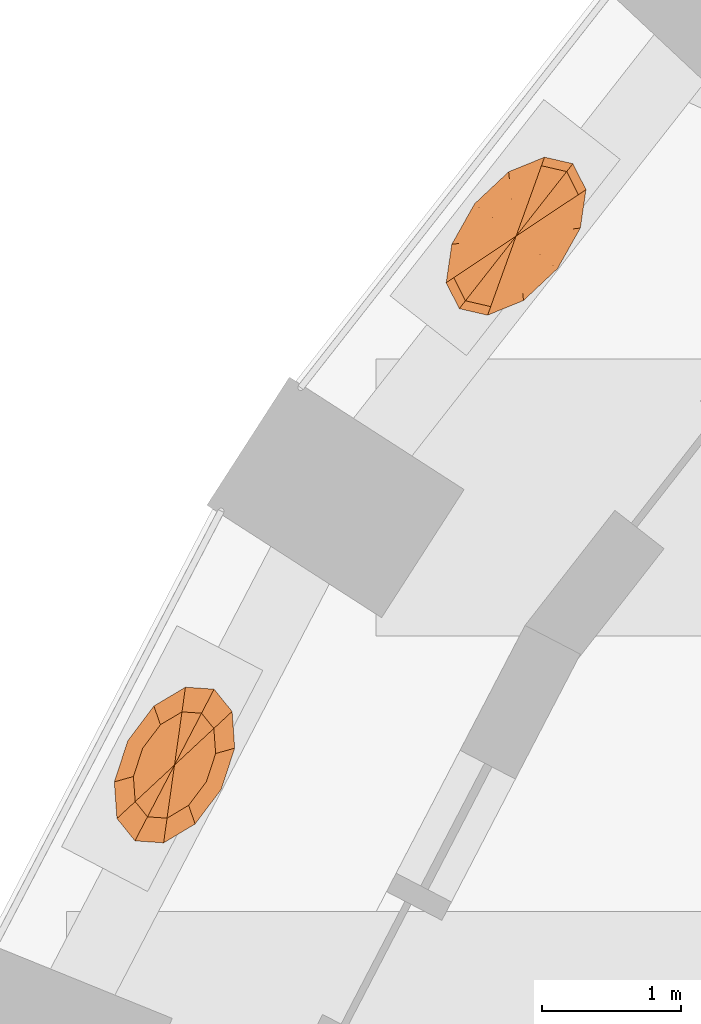
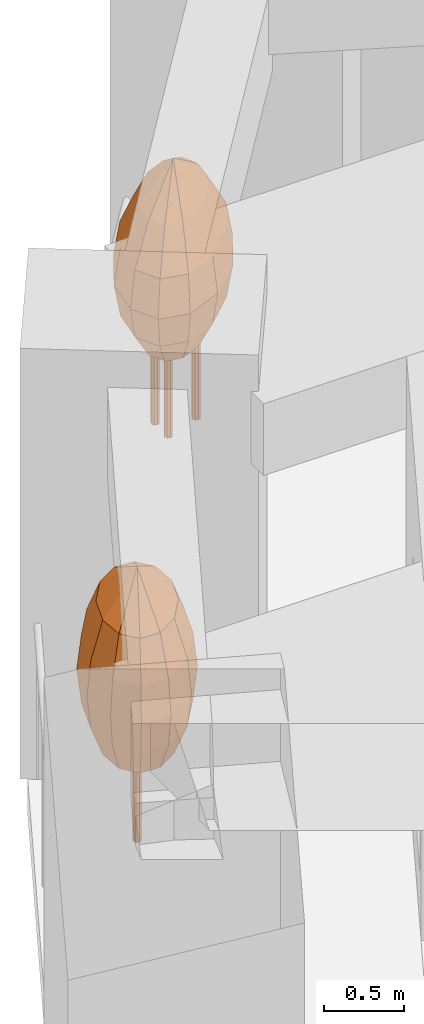
# One storey, part 13 of 13: 2 geographic elements.
"""IFC4 building model written with IfcOpenShell, lengths in metres."""

from ifc_helpers import new_model, si_unit, direction, frame, origin, place, context, subcontext, project, spatial, faceted_brep, material, constituent, constituent_set, type_object, element, save


model = new_model("IFC4")

# Units and contexts
model_context = context("Model", 3, precision=1e-05, world=origin(), true_north=direction((0.0, 1.0)))
body_context = subcontext(model_context, "Body", "Model", "MODEL_VIEW")
ifc_project = project(units=[si_unit("LENGTHUNIT", "METRE"), si_unit("AREAUNIT", "SQUARE_METRE"), si_unit("VOLUMEUNIT", "CUBIC_METRE"), si_unit("PLANEANGLEUNIT", "RADIAN"), si_unit("MASSUNIT", "GRAM", prefix="KILO")], contexts=[model_context])

# Site, building, storey
site_placement = place(None, origin())
site = spatial("IfcSite", under=ifc_project, at=site_placement, CompositionType="ELEMENT")
building_placement = place(site_placement, origin())
building = spatial("IfcBuilding", under=site, at=building_placement, Name="Taillehof Tower", CompositionType="ELEMENT")
storey_placement = place(building_placement, frame((0.0, 0.0, 38.199951171875)))
storey = spatial("IfcBuildingStorey", under=building, at=storey_placement, Name="L09", CompositionType="ELEMENT", Elevation=38.199951171875)

# Geographic elements
ifc_material_1 = material(Name="Tree bark", Category="timber")
ifc_constituent_1 = constituent(ifc_material_1, Name="Trunk", Category="timber")
ifc_material_2 = material(Name="Tree foliage")
ifc_constituent_2 = constituent(ifc_material_2, Name="Crown")
ifc_constituent_set_1 = constituent_set(constituents=[ifc_constituent_1, ifc_constituent_2], Name="Tree TR1 Columnar hornbeam")
geographic_element_type_1 = type_object("IfcGeographicElementType", Name="Tree TR1 Columnar hornbeam", PredefinedType="USERDEFINED", material=ifc_constituent_set_1)
geographic_element_1_placement = place(storey_placement, frame((-25.627685546875, 10.692626953125, 0.75)))
element("IfcGeographicElement", 1, at=geographic_element_1_placement, inside=storey, type_object=geographic_element_type_1, Name="Tree TR1 Columnar hornbeam", ObjectType="TREE", PredefinedType="USERDEFINED", context=body_context, shape_type="Brep", body=[
    faceted_brep([(0.030029296875, 0.0, 0.0), (0.021240234375, 0.021240234375, 0.0), (0.021240234375, 0.021240234375, 1.092529296875), (0.030029296875, 0.0, 1.092529296875), (0.0, 0.030029296875, 0.0), (0.0, 0.030029296875, 1.092529296875), (-0.021240234375, 0.021240234375, 0.0), (-0.021240234375, 0.021240234375, 1.092529296875), (-0.030029296875, 0.0, 0.0), (-0.030029296875, 0.0, 1.092529296875), (-0.021240234375, -0.021240234375, 0.0), (-0.021240234375, -0.021240234375, 1.092529296875), (0.0, -0.030029296875, 0.0), (0.0, -0.030029296875, 1.092529296875), (0.021240234375, -0.021240234375, 0.0), (0.021240234375, -0.021240234375, 1.092529296875)], [[[0, 1, 2, 3]], [[1, 4, 5, 2]], [[4, 6, 7, 5]], [[6, 8, 9, 7]], [[8, 10, 11, 9]], [[10, 12, 13, 11]], [[12, 14, 15, 13]], [[14, 0, 3, 15]], [[14, 12, 10, 8, 6, 4, 1, 0]], [[3, 2, 5, 7, 9, 11, 13, 15]]]),
    faceted_brep([(0.0, 0.0, 0.550048828125), (-0.053955078125, -0.3837890625, 0.808349609375), (-0.195068359375, -0.3740234375, 0.808349609375), (0.101806640625, -0.291015625, 0.808349609375), (0.230224609375, -0.1201171875, 0.808349609375), (0.296875, 0.0830078125, 0.808349609375), (0.283935546875, 0.263916015625, 0.808349609375), (0.195068359375, 0.3740234375, 0.808349609375), (0.053955078125, 0.3837890625, 0.808349609375), (-0.101806640625, 0.291015625, 0.808349609375), (-0.230224609375, 0.1201171875, 0.808349609375), (-0.296875, -0.0830078125, 0.808349609375), (-0.283935546875, -0.263916015625, 0.808349609375), (-0.07275390625, -0.519287109375, 1.066650390625), (-0.263916015625, -0.505859375, 1.066650390625), (0.1376953125, -0.3935546875, 1.066650390625), (0.311279296875, -0.162353515625, 1.066650390625), (0.401611328125, 0.1123046875, 1.066650390625), (0.38427734375, 0.35693359375, 1.066650390625), (0.263916015625, 0.505859375, 1.066650390625), (0.07275390625, 0.519287109375, 1.066650390625), (-0.1376953125, 0.3935546875, 1.066650390625), (-0.311279296875, 0.162353515625, 1.066650390625), (-0.401611328125, -0.1123046875, 1.066650390625), (-0.38427734375, -0.35693359375, 1.066650390625), (-0.078857421875, -0.56201171875, 1.324951171875), (-0.28564453125, -0.547607421875, 1.324951171875), (0.14892578125, -0.426025390625, 1.324951171875), (0.3369140625, -0.17578125, 1.324951171875), (0.4345703125, 0.12158203125, 1.324951171875), (0.415771484375, 0.38623046875, 1.324951171875), (0.28564453125, 0.547607421875, 1.324951171875), (0.078857421875, 0.56201171875, 1.324951171875), (-0.14892578125, 0.426025390625, 1.324951171875), (-0.3369140625, 0.17578125, 1.324951171875), (-0.4345703125, -0.12158203125, 1.324951171875), (-0.415771484375, -0.38623046875, 1.324951171875), (-0.07275390625, -0.519287109375, 1.583251953125), (-0.263916015625, -0.505859375, 1.583251953125), (0.1376953125, -0.3935546875, 1.583251953125), (0.311279296875, -0.162353515625, 1.583251953125), (0.401611328125, 0.1123046875, 1.583251953125), (0.38427734375, 0.35693359375, 1.583251953125), (0.263916015625, 0.505859375, 1.583251953125), (0.07275390625, 0.519287109375, 1.583251953125), (-0.1376953125, 0.3935546875, 1.583251953125), (-0.311279296875, 0.162353515625, 1.583251953125), (-0.401611328125, -0.1123046875, 1.583251953125), (-0.38427734375, -0.35693359375, 1.583251953125), (-0.053955078125, -0.3837890625, 1.841552734375), (-0.195068359375, -0.3740234375, 1.841552734375), (0.101806640625, -0.291015625, 1.841552734375), (0.230224609375, -0.1201171875, 1.841552734375), (0.296875, 0.0830078125, 1.841552734375), (0.283935546875, 0.263916015625, 1.841552734375), (0.195068359375, 0.3740234375, 1.841552734375), (0.053955078125, 0.3837890625, 1.841552734375), (-0.101806640625, 0.291015625, 1.841552734375), (-0.230224609375, 0.1201171875, 1.841552734375), (-0.296875, -0.0830078125, 1.841552734375), (-0.283935546875, -0.263916015625, 1.841552734375), (0.0, 0.0, 2.10009765625)], [[[0, 1, 2]], [[0, 3, 1]], [[0, 4, 3]], [[0, 5, 4]], [[0, 6, 5]], [[0, 7, 6]], [[0, 8, 7]], [[0, 9, 8]], [[0, 10, 9]], [[0, 11, 10]], [[0, 12, 11]], [[0, 2, 12]], [[2, 1, 13, 14]], [[1, 3, 15, 13]], [[3, 4, 16, 15]], [[4, 5, 17, 16]], [[5, 6, 18, 17]], [[6, 7, 19, 18]], [[7, 8, 20, 19]], [[8, 9, 21, 20]], [[9, 10, 22, 21]], [[10, 11, 23, 22]], [[11, 12, 24, 23]], [[12, 2, 14, 24]], [[14, 13, 25, 26]], [[13, 15, 27, 25]], [[15, 16, 28, 27]], [[16, 17, 29, 28]], [[17, 18, 30, 29]], [[18, 19, 31, 30]], [[19, 20, 32, 31]], [[20, 21, 33, 32]], [[21, 22, 34, 33]], [[22, 23, 35, 34]], [[23, 24, 36, 35]], [[24, 14, 26, 36]], [[26, 25, 37, 38]], [[25, 27, 39, 37]], [[27, 28, 40, 39]], [[28, 29, 41, 40]], [[29, 30, 42, 41]], [[30, 31, 43, 42]], [[31, 32, 44, 43]], [[32, 33, 45, 44]], [[33, 34, 46, 45]], [[34, 35, 47, 46]], [[35, 36, 48, 47]], [[36, 26, 38, 48]], [[38, 37, 49, 50]], [[37, 39, 51, 49]], [[39, 40, 52, 51]], [[40, 41, 53, 52]], [[41, 42, 54, 53]], [[42, 43, 55, 54]], [[43, 44, 56, 55]], [[44, 45, 57, 56]], [[45, 46, 58, 57]], [[46, 47, 59, 58]], [[47, 48, 60, 59]], [[48, 38, 50, 60]], [[50, 49, 61]], [[49, 51, 61]], [[51, 52, 61]], [[52, 53, 61]], [[53, 54, 61]], [[54, 55, 61]], [[55, 56, 61]], [[56, 57, 61]], [[57, 58, 61]], [[58, 59, 61]], [[59, 60, 61]], [[60, 50, 61]]]),
])
ifc_material_3 = material(Name="Tree bark", Category="timber")
ifc_constituent_3 = constituent(ifc_material_3, Name="Trunk", Category="timber")
ifc_material_4 = material(Name="Tree foliage")
ifc_constituent_4 = constituent(ifc_material_4, Name="Crown")
ifc_constituent_set_2 = constituent_set(constituents=[ifc_constituent_3, ifc_constituent_4], Name="Tree TR3 Multi-stem serviceberry")
geographic_element_type_2 = type_object("IfcGeographicElementType", Name="Tree TR3 Multi-stem serviceberry", PredefinedType="USERDEFINED", material=ifc_constituent_set_2)
geographic_element_2_placement = place(storey_placement, frame((-23.16162109375, 14.510986328125, 0.75)))
element("IfcGeographicElement", 2, at=geographic_element_2_placement, inside=storey, type_object=geographic_element_type_2, Name="Tree TR3 Multi-stem serviceberry", ObjectType="TREE", PredefinedType="USERDEFINED", context=body_context, shape_type="Brep", body=[
    faceted_brep([(0.195068359375, 0.0, 0.0), (0.186767578125, 0.0205078125, 0.0), (0.186767578125, 0.0205078125, 1.04248046875), (0.195068359375, 0.0, 1.04248046875), (0.166259765625, 0.02880859375, 0.0), (0.166259765625, 0.02880859375, 1.04248046875), (0.145751953125, 0.0205078125, 0.0), (0.145751953125, 0.0205078125, 1.04248046875), (0.137451171875, 0.0, 0.0), (0.137451171875, 0.0, 1.04248046875), (0.145751953125, -0.0205078125, 0.0), (0.145751953125, -0.0205078125, 1.04248046875), (0.166259765625, -0.02880859375, 0.0), (0.166259765625, -0.02880859375, 1.04248046875), (0.186767578125, -0.0205078125, 0.0), (0.186767578125, -0.0205078125, 1.04248046875)], [[[0, 1, 2, 3]], [[1, 4, 5, 2]], [[4, 6, 7, 5]], [[6, 8, 9, 7]], [[8, 10, 11, 9]], [[10, 12, 13, 11]], [[12, 14, 15, 13]], [[14, 0, 3, 15]], [[14, 12, 10, 8, 6, 4, 1, 0]], [[3, 2, 5, 7, 9, 11, 13, 15]]]),
    faceted_brep([(-0.05419921875, 0.082275390625, 0.0), (-0.062744140625, 0.102783203125, 0.0), (-0.062744140625, 0.102783203125, 1.04248046875), (-0.05419921875, 0.082275390625, 1.04248046875), (-0.0830078125, 0.111083984375, 0.0), (-0.0830078125, 0.111083984375, 1.04248046875), (-0.103515625, 0.102783203125, 0.0), (-0.103515625, 0.102783203125, 1.04248046875), (-0.112060546875, 0.082275390625, 0.0), (-0.112060546875, 0.082275390625, 1.04248046875), (-0.103515625, 0.061767578125, 0.0), (-0.103515625, 0.061767578125, 1.04248046875), (-0.0830078125, 0.053466796875, 0.0), (-0.0830078125, 0.053466796875, 1.04248046875), (-0.062744140625, 0.061767578125, 0.0), (-0.062744140625, 0.061767578125, 1.04248046875)], [[[0, 1, 2, 3]], [[1, 4, 5, 2]], [[4, 6, 7, 5]], [[6, 8, 9, 7]], [[8, 10, 11, 9]], [[10, 12, 13, 11]], [[12, 14, 15, 13]], [[14, 0, 3, 15]], [[14, 12, 10, 8, 6, 4, 1, 0]], [[3, 2, 5, 7, 9, 11, 13, 15]]]),
    faceted_brep([(-0.05419921875, -0.082275390625, 0.0), (-0.062744140625, -0.061767578125, 0.0), (-0.062744140625, -0.061767578125, 1.04248046875), (-0.05419921875, -0.082275390625, 1.04248046875), (-0.0830078125, -0.053466796875, 0.0), (-0.0830078125, -0.053466796875, 1.04248046875), (-0.103515625, -0.061767578125, 0.0), (-0.103515625, -0.061767578125, 1.04248046875), (-0.112060546875, -0.082275390625, 0.0), (-0.112060546875, -0.082275390625, 1.04248046875), (-0.103515625, -0.102783203125, 0.0), (-0.103515625, -0.102783203125, 1.04248046875), (-0.0830078125, -0.111083984375, 0.0), (-0.0830078125, -0.111083984375, 1.04248046875), (-0.062744140625, -0.102783203125, 0.0), (-0.062744140625, -0.102783203125, 1.04248046875)], [[[0, 1, 2, 3]], [[1, 4, 5, 2]], [[4, 6, 7, 5]], [[6, 8, 9, 7]], [[8, 10, 11, 9]], [[10, 12, 13, 11]], [[12, 14, 15, 13]], [[14, 0, 3, 15]], [[14, 12, 10, 8, 6, 4, 1, 0]], [[3, 2, 5, 7, 9, 11, 13, 15]]]),
    faceted_brep([(0.0, 0.0, 0.5), (-0.1181640625, -0.32763671875, 0.75830078125), (-0.235595703125, -0.30078125, 0.75830078125), (0.031005859375, -0.266845703125, 0.75830078125), (0.171875, -0.134521484375, 0.75830078125), (0.2666015625, 0.03369140625, 0.75830078125), (0.289794921875, 0.193115234375, 0.75830078125), (0.235595703125, 0.30078125, 0.75830078125), (0.1181640625, 0.32763671875, 0.75830078125), (-0.031005859375, 0.266845703125, 0.75830078125), (-0.171875, 0.134521484375, 0.75830078125), (-0.2666015625, -0.03369140625, 0.75830078125), (-0.289794921875, -0.193115234375, 0.75830078125), (-0.18310546875, -0.508544921875, 1.0166015625), (-0.365478515625, -0.466552734375, 1.0166015625), (0.048095703125, -0.4140625, 1.0166015625), (0.2666015625, -0.208740234375, 1.0166015625), (0.41357421875, 0.052490234375, 1.0166015625), (0.449951171875, 0.299560546875, 1.0166015625), (0.365478515625, 0.466552734375, 1.0166015625), (0.18310546875, 0.508544921875, 1.0166015625), (-0.048095703125, 0.4140625, 1.0166015625), (-0.2666015625, 0.208740234375, 1.0166015625), (-0.41357421875, -0.052490234375, 1.0166015625), (-0.449951171875, -0.299560546875, 1.0166015625), (-0.20556640625, -0.570556640625, 1.27490234375), (-0.41015625, -0.5234375, 1.27490234375), (0.053955078125, -0.464599609375, 1.27490234375), (0.299072265625, -0.234375, 1.27490234375), (0.464111328125, 0.058837890625, 1.27490234375), (0.504638671875, 0.336181640625, 1.27490234375), (0.41015625, 0.5234375, 1.27490234375), (0.20556640625, 0.570556640625, 1.27490234375), (-0.053955078125, 0.464599609375, 1.27490234375), (-0.299072265625, 0.234375, 1.27490234375), (-0.464111328125, -0.058837890625, 1.27490234375), (-0.504638671875, -0.336181640625, 1.27490234375), (-0.18310546875, -0.508544921875, 1.533447265625), (-0.365478515625, -0.466552734375, 1.533447265625), (0.048095703125, -0.4140625, 1.533447265625), (0.2666015625, -0.208740234375, 1.533447265625), (0.41357421875, 0.052490234375, 1.533447265625), (0.449951171875, 0.299560546875, 1.533447265625), (0.365478515625, 0.466552734375, 1.533447265625), (0.18310546875, 0.508544921875, 1.533447265625), (-0.048095703125, 0.4140625, 1.533447265625), (-0.2666015625, 0.208740234375, 1.533447265625), (-0.41357421875, -0.052490234375, 1.533447265625), (-0.449951171875, -0.299560546875, 1.533447265625), (-0.1181640625, -0.32763671875, 1.791748046875), (-0.235595703125, -0.30078125, 1.791748046875), (0.031005859375, -0.266845703125, 1.791748046875), (0.171875, -0.134521484375, 1.791748046875), (0.2666015625, 0.03369140625, 1.791748046875), (0.289794921875, 0.193115234375, 1.791748046875), (0.235595703125, 0.30078125, 1.791748046875), (0.1181640625, 0.32763671875, 1.791748046875), (-0.031005859375, 0.266845703125, 1.791748046875), (-0.171875, 0.134521484375, 1.791748046875), (-0.2666015625, -0.03369140625, 1.791748046875), (-0.289794921875, -0.193115234375, 1.791748046875), (0.0, 0.0, 2.050048828125)], [[[0, 1, 2]], [[0, 3, 1]], [[0, 4, 3]], [[0, 5, 4]], [[0, 6, 5]], [[0, 7, 6]], [[0, 8, 7]], [[0, 9, 8]], [[0, 10, 9]], [[0, 11, 10]], [[0, 12, 11]], [[0, 2, 12]], [[2, 1, 13, 14]], [[1, 3, 15, 13]], [[3, 4, 16, 15]], [[4, 5, 17, 16]], [[5, 6, 18, 17]], [[6, 7, 19, 18]], [[7, 8, 20, 19]], [[8, 9, 21, 20]], [[9, 10, 22, 21]], [[10, 11, 23, 22]], [[11, 12, 24, 23]], [[12, 2, 14, 24]], [[14, 13, 25, 26]], [[13, 15, 27, 25]], [[15, 16, 28, 27]], [[16, 17, 29, 28]], [[17, 18, 30, 29]], [[18, 19, 31, 30]], [[19, 20, 32, 31]], [[20, 21, 33, 32]], [[21, 22, 34, 33]], [[22, 23, 35, 34]], [[23, 24, 36, 35]], [[24, 14, 26, 36]], [[26, 25, 37, 38]], [[25, 27, 39, 37]], [[27, 28, 40, 39]], [[28, 29, 41, 40]], [[29, 30, 42, 41]], [[30, 31, 43, 42]], [[31, 32, 44, 43]], [[32, 33, 45, 44]], [[33, 34, 46, 45]], [[34, 35, 47, 46]], [[35, 36, 48, 47]], [[36, 26, 38, 48]], [[38, 37, 49, 50]], [[37, 39, 51, 49]], [[39, 40, 52, 51]], [[40, 41, 53, 52]], [[41, 42, 54, 53]], [[42, 43, 55, 54]], [[43, 44, 56, 55]], [[44, 45, 57, 56]], [[45, 46, 58, 57]], [[46, 47, 59, 58]], [[47, 48, 60, 59]], [[48, 38, 50, 60]], [[50, 49, 61]], [[49, 51, 61]], [[51, 52, 61]], [[52, 53, 61]], [[53, 54, 61]], [[54, 55, 61]], [[55, 56, 61]], [[56, 57, 61]], [[57, 58, 61]], [[58, 59, 61]], [[59, 60, 61]], [[60, 50, 61]]]),
])

save(model, "model.ifc")
